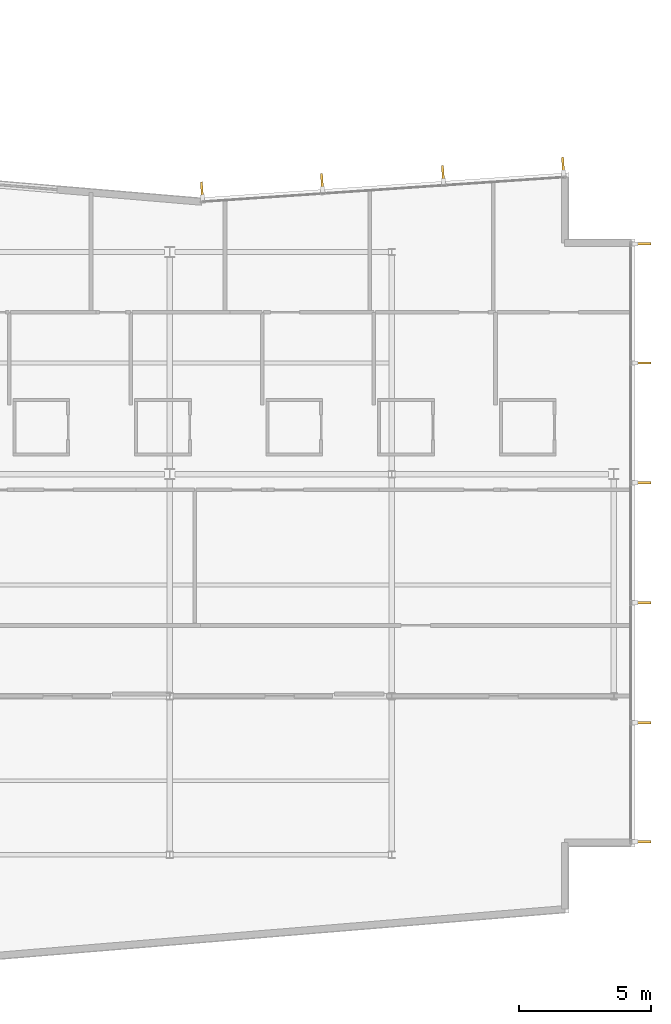
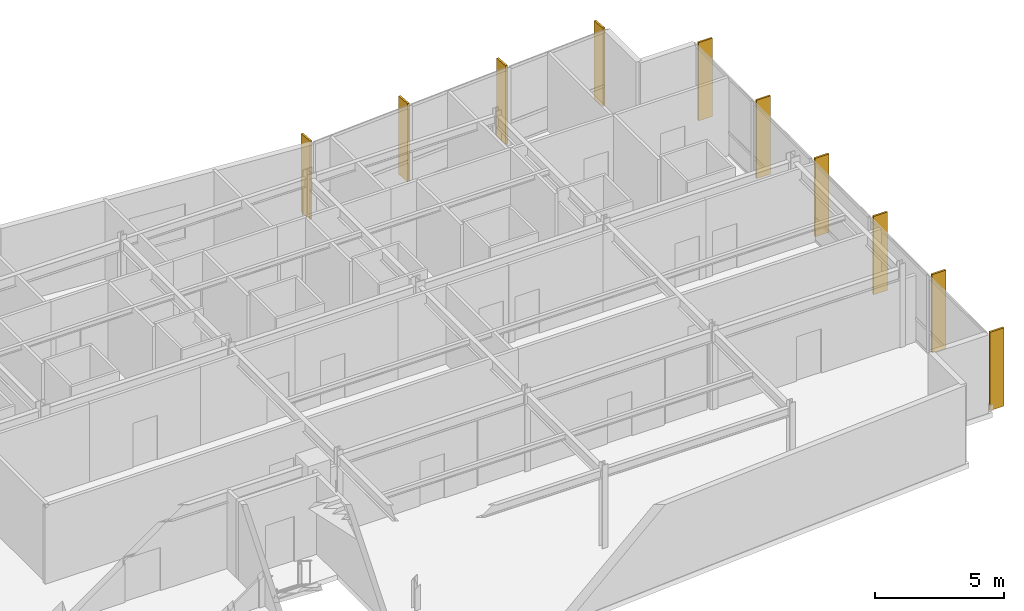
# One storey, part 16 of 17: 10 shading devices.
"""IFC4 building model written with IfcOpenShell, lengths in metres."""

from ifc_helpers import new_model, si_unit, direction, frame, origin, origin_2d, place, context, subcontext, project, spatial, rectangle, extrude, material, layer, layer_set, type_object, element, save


model = new_model("IFC4")

# Units and contexts
model_context = context("Model", 3, precision=1e-05, world=origin(), true_north=direction((0.0, 1.0)))
body_context = subcontext(model_context, "Body", "Model", "MODEL_VIEW")
ifc_project = project(units=[si_unit("LENGTHUNIT", "METRE"), si_unit("AREAUNIT", "SQUARE_METRE"), si_unit("VOLUMEUNIT", "CUBIC_METRE"), si_unit("PLANEANGLEUNIT", "RADIAN"), si_unit("MASSUNIT", "GRAM", prefix="KILO")], contexts=[model_context])

# Site, building, storey
site_placement = place(None, origin())
site = spatial("IfcSite", under=ifc_project, at=site_placement, CompositionType="ELEMENT")
building_placement = place(site_placement, origin())
building = spatial("IfcBuilding", under=site, at=building_placement, Name="Varnakote Quay Hospital", CompositionType="ELEMENT")
storey_placement = place(building_placement, frame((0.0, 0.0, 219.75)))
storey = spatial("IfcBuildingStorey", under=building, at=storey_placement, Name="L54", CompositionType="ELEMENT", Elevation=219.75)

# Shading devices
ifc_material = material(Name="Anodised aluminium 6063-T6 Bronze", Category="aluminium")
ifc_layer = layer(ifc_material, 0.0849609375)
ifc_layer_set = layer_set([ifc_layer], Name="Anodised aluminium 6063-T6 Bronze")
shading_device_type = type_object("IfcShadingDeviceType", Name="SHD-BRONZE-FIN-620", PredefinedType="USERDEFINED", material=ifc_layer_set)
for number, where, z_axis, x_axis, name in (
    (1, (51.489990234375, 6.492431640625, 0.0), (0.0, 0.0, 1.0), (-1.0, 0.0, 0.0), "L54 Anodised Bronze Vertical Shading FIN"),
    (2, (51.489990234375, 10.99609375, 0.0), (0.0, 0.0, 1.0), (-1.0, 0.0, 0.0), "L54 Anodised Bronze Vertical Shading FIN"),
    (3, (51.489990234375, 15.531982421875, 0.0), (0.0, 0.0, 1.0), (-1.0, 0.0, 0.0), "L54 Anodised Bronze Vertical Shading FIN"),
    (4, (51.489990234375, 20.068115234375, 0.0), (0.0, 0.0, 1.0), (-1.0, 0.0, 0.0), "L54 Anodised Bronze Vertical Shading FIN"),
    (5, (51.489990234375, 24.60400390625, 0.0), (0.0, 0.0, 1.0), (-1.0, 0.0, 0.0), "L54 Anodised Bronze Vertical Shading FIN"),
    (6, (51.489990234375, 29.107421875, 0.0), (0.0, 0.0, 1.0), (-1.0, 0.0, 0.0), "L54 Anodised Bronze Vertical Shading FIN"),
    (7, (48.47705078125, 32.07568359375, 0.0), (0.0, 0.0, 1.0), (0.067841160875, -0.997696134548, 0.0), "L54 Anodised Bronze Vertical Shading FIN"),
    (8, (43.934326171875, 31.7666015625, 0.0), (0.0, 0.0, 1.0), (0.067841160875, -0.997696134548, 0.0), "L54 Anodised Bronze Vertical Shading FIN"),
    (9, (39.359375, 31.45556640625, 0.0), (0.0, 0.0, 1.0), (0.067841160875, -0.997696134548, 0.0), "L54 Anodised Bronze Vertical Shading FIN"),
    (10, (34.816650390625, 31.146728515625, 0.0), (0.0, 0.0, 1.0), (0.067841160875, -0.997696134548, 0.0), "L54 Anodised Bronze Vertical Shading FIN"),
):
    element("IfcShadingDevice", number, at=place(storey_placement, frame(where, z_axis=z_axis, x_axis=x_axis)), inside=storey, type_object=shading_device_type, Name=name, ObjectType="FIN", PredefinedType="USERDEFINED", context=body_context, shape_type="SweptSolid", body=[
        extrude(rectangle(XDim=0.6201171875, YDim=0.0849609375, at=origin_2d()), origin(), (0.0, 0.0, 1.0), 3.7099609375),
    ])

save(model, "model.ifc")
